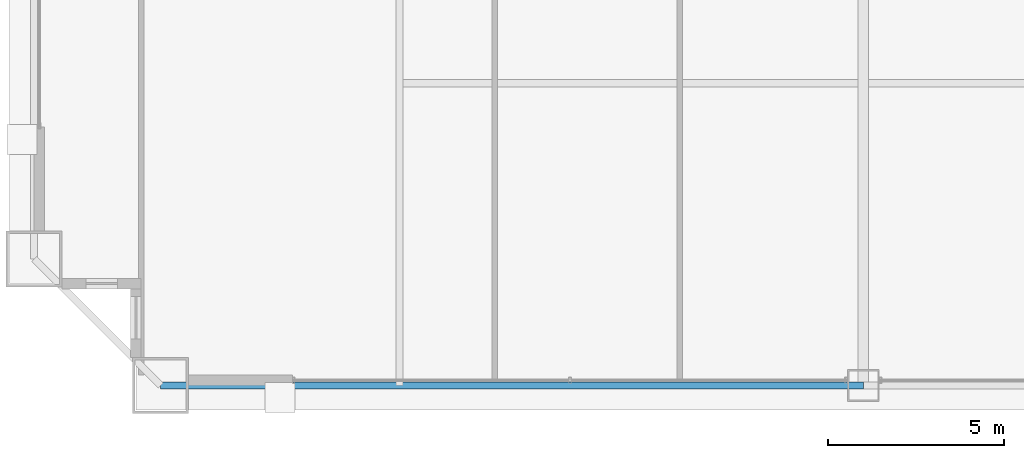
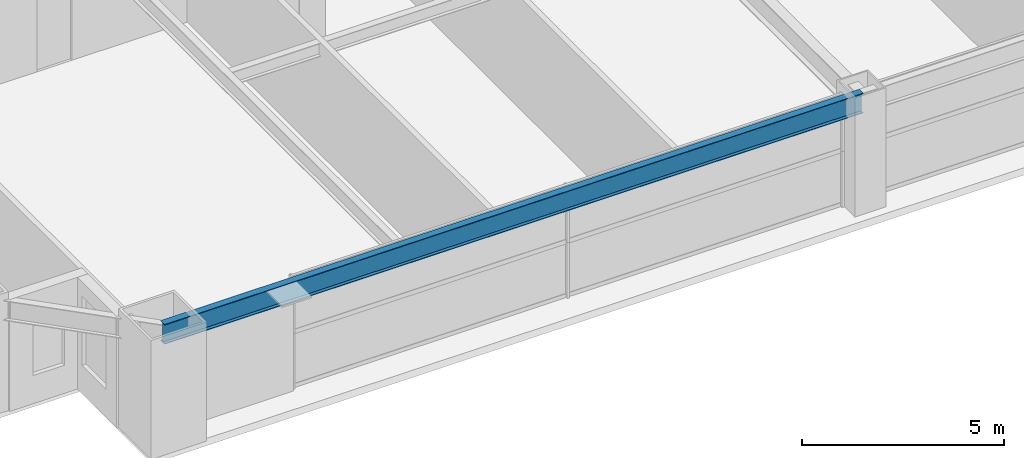
# One storey, part 5 of 39: 1 beam.
"""IFC4 building model written with IfcOpenShell, lengths in metres."""

import ifcopenshell
import ifcopenshell.guid

model = None  # the IFC model being written
_history = None  # IfcOwnerHistory: only IFC2X3 demands one
_inside = {}  # id of a spatial element -> (the spatial element, [elements in it])
_under = {}  # id of a project, library or spatial element -> (it, [spatial elements below it])
_declared = {}  # id of a project -> (the project, [libraries it declares])
_typed = {}  # id of a type object -> (the type object, [elements of that type])
_made_of = {}  # id of a material, layer set ... -> (it, [elements and type objects made of it])


def new_model(schema):
    """Start an empty IFC model of exactly this schema.

    Asked for "IFC4X3", IfcOpenShell would pick the latest addendum, in which some entities
    have other attributes; the version numbers below select the first issue.
    IFC2X3 requires an IfcOwnerHistory on every rooted entity: one is made here for all.
    """
    global model, _history
    if schema == "IFC4X3":
        model = ifcopenshell.file(schema_version=(4, 3, 0, 0))
    else:
        model = ifcopenshell.file(schema=schema)
    _inside.clear()
    _under.clear()
    _declared.clear()
    _typed.clear()
    _made_of.clear()
    _history = None
    if model.schema == "IFC2X3":
        org = make("IfcOrganization", Name="unknown")
        user = make(
            "IfcPersonAndOrganization",
            ThePerson=make("IfcPerson", FamilyName="unknown"),
            TheOrganization=org,
        )
        app = make(
            "IfcApplication",
            ApplicationDeveloper=org,
            Version="unknown",
            ApplicationFullName="unknown",
            ApplicationIdentifier="unknown",
        )
        _history = make(
            "IfcOwnerHistory",
            OwningUser=user,
            OwningApplication=app,
            ChangeAction="ADDED",
            CreationDate=0,
        )
    return model


def make(cls, **values):
    """One entity of the class cls with the attributes given. An attribute that is None is left unset."""
    return model.create_entity(
        cls, **{name: value for name, value in values.items() if value is not None}
    )


def rooted(cls, **values):
    """An entity with a GlobalId (a new one), such as an element, a storey or a relation."""
    return make(cls, GlobalId=ifcopenshell.guid.new(), OwnerHistory=_history, **values)


def si_unit(unit_type, name, prefix=None):
    """IfcSIUnit, for example si_unit("LENGTHUNIT", "METRE", prefix="MILLI")."""
    return make("IfcSIUnit", UnitType=unit_type, Prefix=prefix, Name=name)


def assignment(units):
    """IfcUnitAssignment: the units of a project."""
    return None if units is None else make("IfcUnitAssignment", Units=units)


def point(xyz):
    """IfcCartesianPoint."""
    return None if xyz is None else make("IfcCartesianPoint", Coordinates=xyz)


def direction(xyz):
    """IfcDirection."""
    return None if xyz is None else make("IfcDirection", DirectionRatios=xyz)


def frame(location, z_axis=None, x_axis=None):
    """IfcAxis2Placement3D, a coordinate frame: its origin and axes. An axis left out is left unset."""
    return make(
        "IfcAxis2Placement3D",
        Location=point(location),
        Axis=direction(z_axis),
        RefDirection=direction(x_axis),
    )


def frame_2d(location, x_axis=None):
    """IfcAxis2Placement2D, a coordinate frame in the plane: its origin and x axis."""
    return make(
        "IfcAxis2Placement2D", Location=point(location), RefDirection=direction(x_axis)
    )


def origin():
    """The frame at (0, 0, 0) with its axes left unset."""
    return frame((0.0, 0.0, 0.0))


def origin_2d():
    """The frame at (0, 0) in the plane with its x axis left unset."""
    return frame_2d((0.0, 0.0))


def place(relative_to, where):
    """IfcLocalPlacement: puts the frame where relative to a parent placement (None: the world)."""
    return make(
        "IfcLocalPlacement", PlacementRelTo=relative_to, RelativePlacement=where
    )


def context(
    kind, dimensions, precision=None, world=None, true_north=None, identifier=None
):
    """IfcGeometricRepresentationContext, for example the 3D "Model" context."""
    return make(
        "IfcGeometricRepresentationContext",
        ContextIdentifier=identifier,
        ContextType=kind,
        CoordinateSpaceDimension=dimensions,
        Precision=precision,
        WorldCoordinateSystem=world,
        TrueNorth=true_north,
    )


def subcontext(parent, identifier, kind, view, scale=None):
    """IfcGeometricRepresentationSubContext, for example "Body" below "Model"."""
    return make(
        "IfcGeometricRepresentationSubContext",
        ContextIdentifier=identifier,
        ContextType=kind,
        ParentContext=parent,
        TargetScale=scale,
        TargetView=view,
    )


def project(units=None, contexts=None):
    """IfcProject with its units and contexts."""
    return rooted(
        "IfcProject",
        Name="project",
        RepresentationContexts=contexts,
        UnitsInContext=assignment(units),
    )


def spatial(cls, under=None, at=None, **own):
    """A site, building, storey or space (cls), placed at a placement, below another one or the project."""
    s = rooted(cls, ObjectPlacement=at, **own)
    if under is not None:
        _under.setdefault(under.id(), (under, []))[1].append(s)
    return s


def profile(cls, at=None, kind="AREA", **sizes):
    """A parametric profile (cls). Its sizes go by their IFC names, for example OverallWidth=200.0."""
    return make(cls, ProfileType=kind, Position=at, **sizes)


def i_section(**sizes):
    """IfcIShapeProfileDef."""
    return profile("IfcIShapeProfileDef", **sizes)


def extrude(swept, where, along, depth):
    """IfcExtrudedAreaSolid: the profile swept, set in the frame where, extruded along a direction by depth."""
    return make(
        "IfcExtrudedAreaSolid",
        SweptArea=swept,
        Position=where,
        ExtrudedDirection=direction(along),
        Depth=depth,
    )


def shape(context_of_items, identifier, shape_type, items):
    """IfcShapeRepresentation: the items that make up one representation, for example the "Body"."""
    return make(
        "IfcShapeRepresentation",
        ContextOfItems=context_of_items,
        RepresentationIdentifier=identifier,
        RepresentationType=shape_type,
        Items=items,
    )


def source(mapping_origin, context_of_items, identifier, shape_type, items):
    """IfcRepresentationMap: a shape defined once, which mapped items show again and again."""
    return make(
        "IfcRepresentationMap",
        MappingOrigin=mapping_origin,
        MappedRepresentation=shape(context_of_items, identifier, shape_type, items),
    )


def transform(
    local_origin,
    x_axis=None,
    y_axis=None,
    z_axis=None,
    scale=None,
    scale2=None,
    scale3=None,
    uniform=True,
):
    """IfcCartesianTransformationOperator3D, or its non-uniform kind. x_axis, y_axis, z_axis: its Axis1, 2, 3."""
    if uniform:
        return make(
            "IfcCartesianTransformationOperator3D",
            Axis1=direction(x_axis),
            Axis2=direction(y_axis),
            LocalOrigin=point(local_origin),
            Scale=scale,
            Axis3=direction(z_axis),
        )
    return make(
        "IfcCartesianTransformationOperator3DnonUniform",
        Axis1=direction(x_axis),
        Axis2=direction(y_axis),
        LocalOrigin=point(local_origin),
        Scale=scale,
        Axis3=direction(z_axis),
        Scale2=scale2,
        Scale3=scale3,
    )


def mapped(mapping_source, mapping_target):
    """IfcMappedItem: shows the shape of a source again, moved by a transform."""
    return make(
        "IfcMappedItem", MappingSource=mapping_source, MappingTarget=mapping_target
    )


def material(Name=None, Category=None):
    """IfcMaterial."""
    return make("IfcMaterial", Name=Name, Category=Category)


def material_profile(
    of_material, cross_section, Name=None, Category=None, Priority=None
):
    """IfcMaterialProfile: a cross section and its material."""
    return make(
        "IfcMaterialProfile",
        Name=Name,
        Material=of_material,
        Profile=cross_section,
        Priority=Priority,
        Category=Category,
    )


def profile_set(profiles, Name=None, composite=None):
    """IfcMaterialProfileSet."""
    return make(
        "IfcMaterialProfileSet",
        Name=Name,
        MaterialProfiles=profiles,
        CompositeProfile=composite,
    )


def made_of(thing, what):
    """Note that an element or type object is made of a material, layer set ...; save() writes the relation."""
    if what is not None:
        _made_of.setdefault(what.id(), (what, []))[1].append(thing)
    return thing


def type_object(cls, material=None, **own):
    """A type object (cls), such as IfcWallType, which elements share."""
    return made_of(rooted(cls, **own), material)


def element(
    cls,
    number,
    at=None,
    inside=None,
    cuts=None,
    type_object=None,
    material=None,
    context=None,
    identifier="Body",
    shape_type=None,
    held_by="IfcProductDefinitionShape",
    body=None,
    shapes=None,
    **own,
):
    """One element of the class cls, such as IfcWall. Its Tag is "e" and its number.

    at: its placement. inside: the storey or other place that contains it. cuts: it is an
    opening in that element (IfcRelVoidsElement). A single representation is given by context,
    identifier, shape_type and body (its items); several are given by shapes. held_by: the class
    of the entity that holds the representations. save() writes the other relations.
    """
    e = rooted(cls, Tag="e%d" % number, ObjectPlacement=at, **own)
    if body is not None:
        shapes = [shape(context, identifier, shape_type, body)]
    if shapes is not None:
        e.Representation = make(held_by, Representations=shapes)
    if inside is not None:
        _inside.setdefault(inside.id(), (inside, []))[1].append(e)
    if cuts is not None:
        rooted(
            "IfcRelVoidsElement", RelatingBuildingElement=cuts, RelatedOpeningElement=e
        )
    if type_object is not None:
        _typed.setdefault(type_object.id(), (type_object, []))[1].append(e)
    return made_of(e, material)


def aggregate(whole, parts):
    """IfcRelAggregates: a whole, such as a stair, and the parts it consists of."""
    return rooted("IfcRelAggregates", RelatingObject=whole, RelatedObjects=parts)


def save(model, path):
    """Write the relations noted so far, then the file.

    IfcRelAggregates (storeys below a building ...), IfcRelContainedInSpatialStructure (elements
    in a storey), IfcRelDefinesByType, IfcRelAssociatesMaterial and IfcRelDeclares: one each for
    every whole, place, type object, material and project.
    """
    for whole, parts in _under.values():
        aggregate(whole, parts)
    for where, things in _inside.values():
        rooted(
            "IfcRelContainedInSpatialStructure",
            RelatedElements=things,
            RelatingStructure=where,
        )
    for kind, things in _typed.values():
        rooted("IfcRelDefinesByType", RelatedObjects=things, RelatingType=kind)
    for what, things in _made_of.values():
        rooted("IfcRelAssociatesMaterial", RelatedObjects=things, RelatingMaterial=what)
    for by, libraries in _declared.values():
        rooted("IfcRelDeclares", RelatingContext=by, RelatedDefinitions=libraries)
    model.write(path)


model = new_model("IFC4")

# Units and contexts
model_context = context("Model", 3, precision=1e-05, world=origin(), true_north=direction((0.0, 1.0)))
body_context = subcontext(model_context, "Body", "Model", "MODEL_VIEW")
ifc_project = project(units=[si_unit("LENGTHUNIT", "METRE"), si_unit("AREAUNIT", "SQUARE_METRE"), si_unit("VOLUMEUNIT", "CUBIC_METRE"), si_unit("PLANEANGLEUNIT", "RADIAN"), si_unit("MASSUNIT", "GRAM", prefix="KILO"), si_unit("THERMODYNAMICTEMPERATUREUNIT", "KELVIN"), si_unit("POWERUNIT", "WATT")], contexts=[model_context])

# Site, building, storey
site_placement = place(None, origin())
site = spatial("IfcSite", under=ifc_project, at=site_placement, CompositionType="ELEMENT")
building_placement = place(site_placement, origin())
building = spatial("IfcBuilding", under=site, at=building_placement, Name="Yuzanri Waterfront Tower", CompositionType="ELEMENT")
storey_placement = place(building_placement, frame((0.0, 0.0, 134.39990234375)))
storey = spatial("IfcBuildingStorey", under=building, at=storey_placement, Name="L35", CompositionType="ELEMENT", Elevation=134.39990234375)

# Beam
ifc_material = material(Name="Steel Q355B", Category="steel")
ifc_material_profile = material_profile(ifc_material, i_section(OverallWidth=0.199951171875, OverallDepth=0.60009765625, WebThickness=0.010986328125, FlangeThickness=0.01708984375, at=origin_2d()), Name="HN 600x200x11x17")
ifc_profile_set = profile_set([ifc_material_profile], Name="Steel Q355B")
beam_type = type_object("IfcBeamType", Name="Perimeter Spandrel Q355B HN 600x200", PredefinedType="SPANDREL", material=ifc_profile_set)
shared_shape = source(origin(), body_context, "Body", "SweptSolid", [
    extrude(i_section(OverallWidth=0.199951171875, OverallDepth=0.60009765625, WebThickness=0.010986328125, FlangeThickness=0.01708984375, at=origin_2d()), origin(), (0.0, 0.0, 1.0), 20.0),
])
beam_placement = place(storey_placement, frame((17.0, 2.199951171875, 3.080078125), z_axis=(1.0, 0.0, 0.0), x_axis=(0.0, 1.0, 0.0)))
element("IfcBeam", 1, at=beam_placement, inside=storey, type_object=beam_type, Name="L35 Perimeter Spandrel S1-S2", PredefinedType="SPANDREL", context=body_context, shape_type="MappedRepresentation", body=[
    mapped(shared_shape, transform((0.0, 0.0, 0.0), scale=1.0)),
])

save(model, "model.ifc")
